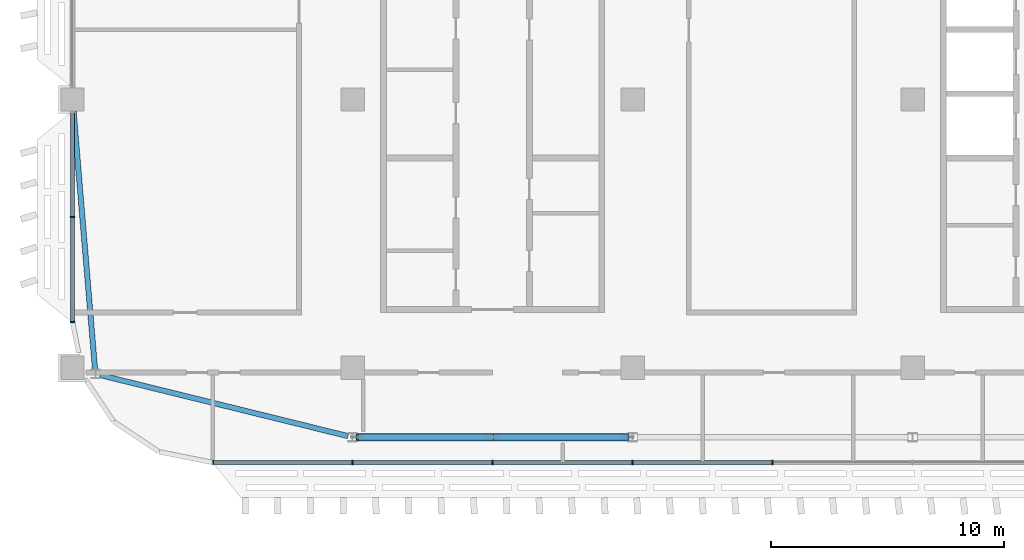
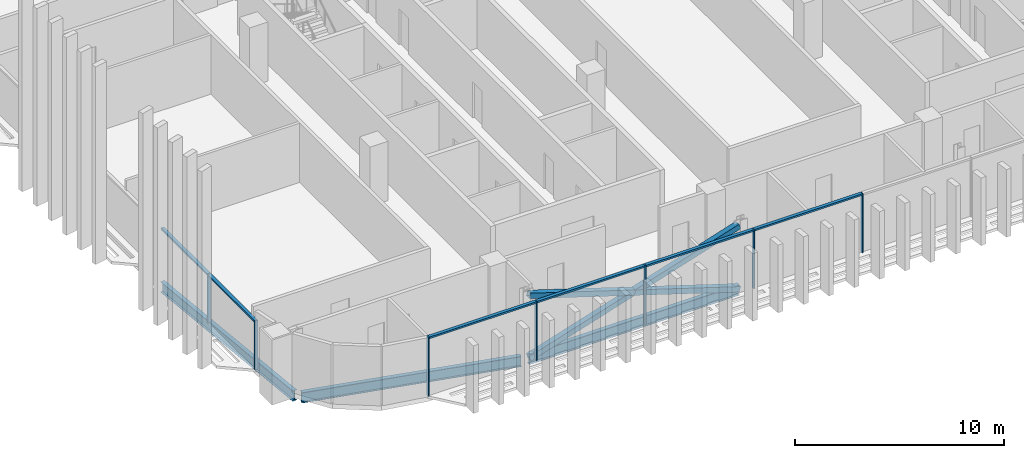
# One storey, part 5 of 32: 16 members, 3 beams, 2 elements without a shape of their own.
"""IFC4 building model written with IfcOpenShell, lengths in metres."""

from ifc_helpers import new_model, si_unit, direction, frame, origin, origin_2d, place, context, subcontext, project, spatial, rectangle, hollow_rectangle, i_section, extrude, material, material_profile, profile_set, type_object, element, aggregate, save


model = new_model("IFC4")

# Units and contexts
model_context = context("Model", 3, precision=1e-05, world=origin(), true_north=direction((0.0, 1.0)))
body_context = subcontext(model_context, "Body", "Model", "MODEL_VIEW")
ifc_project = project(units=[si_unit("LENGTHUNIT", "METRE"), si_unit("AREAUNIT", "SQUARE_METRE"), si_unit("VOLUMEUNIT", "CUBIC_METRE"), si_unit("PLANEANGLEUNIT", "RADIAN"), si_unit("MASSUNIT", "GRAM", prefix="KILO")], contexts=[model_context])

# Site, building, storey
site_placement = place(None, origin())
site = spatial("IfcSite", under=ifc_project, at=site_placement, CompositionType="ELEMENT")
building_placement = place(site_placement, origin())
building = spatial("IfcBuilding", under=site, at=building_placement, Name="Mahtab Terrace Research Tower", CompositionType="ELEMENT")
storey_placement = place(building_placement, frame((0.0, 0.0, 243.800048828125)))
storey = spatial("IfcBuildingStorey", under=building, at=storey_placement, Name="L59", CompositionType="ELEMENT", Elevation=243.800048828125)

# Members
ifc_material_1 = material(Name="Steel ASTM A500 Gr C", Category="steel")
ifc_material_profile_1 = material_profile(ifc_material_1, hollow_rectangle(XDim=0.3046875, YDim=0.3046875, WallThickness=0.015869140625, at=origin_2d()), Name="HSS12X12X5/8")
ifc_profile_set_1 = profile_set([ifc_material_profile_1], Name="Steel ASTM A500 Gr C")
member_type_1 = type_object("IfcMemberType", Name="HSS 12x12x5/8 brace XB121258", PredefinedType="BRACE", material=ifc_profile_set_1)
member_1_placement = place(storey_placement, frame((-29.800537109375, -14.472900390625, -0.58056640625), z_axis=(0.953338568311, 0.0, 0.301903252998), x_axis=(0.0, 1.0, 0.0)))
element("IfcMember", 1, at=member_1_placement, inside=storey, type_object=member_type_1, Name="Exoskeleton brace L59 13 a", PredefinedType="BRACE", context=body_context, shape_type="SweptSolid", body=[
    extrude(hollow_rectangle(XDim=0.3046875, YDim=0.3046875, WallThickness=0.015869140625, at=origin_2d()), origin(), (0.0, 0.0, 1.0), 12.1689453125),
])
for number, where, z_axis, x_axis, name in (
    (2, (-18.199462890625, -14.472900390625, -0.58056640625), (-0.953338568311, 0.0, 0.301903252998), (0.0, -1.0, 0.0), "Exoskeleton brace L59 13 b1"),
    (3, (-24.0, -14.472900390625, 1.25634765625), (-0.953338568311, 0.0, 0.301903252998), (0.0, -1.0, 0.0), "Exoskeleton brace L59 13 b2"),
):
    element("IfcMember", number, at=place(storey_placement, frame(where, z_axis=z_axis, x_axis=x_axis)), inside=storey, type_object=member_type_1, Name=name, PredefinedType="BRACE", context=body_context, shape_type="SweptSolid", body=[
        extrude(hollow_rectangle(XDim=0.3046875, YDim=0.3046875, WallThickness=0.015869140625, at=origin_2d()), origin(), (0.0, 0.0, 1.0), 6.08447265625),
    ])

# Curtain wall, members
ifc_material_2 = material(Name="Office ribbon curtain wall")
curtain_wall_type = type_object("IfcCurtainWallType", Name="Office ribbon curtain wall", PredefinedType="NOTDEFINED", material=ifc_material_2)
curtain_wall_1_placement = place(storey_placement, origin())
curtain_wall_1 = element("IfcCurtainWall", 4, at=curtain_wall_1_placement, inside=storey, type_object=curtain_wall_type, Name="EN.L59.8.10", PredefinedType="NOTDEFINED")
ifc_material_3 = material(Name="Natural anodised aluminium", Category="aluminium")
ifc_material_profile_2 = material_profile(ifc_material_3, rectangle(XDim=0.179931640625, YDim=0.06005859375, at=origin_2d()), Name="MULLION 60x180")
ifc_profile_set_2 = profile_set([ifc_material_profile_2], Name="Natural anodised aluminium")
member_type_2 = type_object("IfcMemberType", Name="Office ribbon curtain wall mullion", PredefinedType="MULLION", material=ifc_profile_set_2)
member_2_placement = place(storey_placement, frame((-42.0, -5.028076171875, 0.0), z_axis=(0.0, 0.0, 1.0), x_axis=(1.0, 0.0, 0.0)))
member_2 = element("IfcMember", 5, at=member_2_placement, type_object=member_type_2, Name="CWO-7 mullion 2", PredefinedType="MULLION", context=body_context, shape_type="SweptSolid", body=[
    extrude(rectangle(XDim=0.179931640625, YDim=0.06005859375, at=origin_2d()), origin(), (0.0, 0.0, 1.0), 2.852783203125),
])
member_3_placement = place(storey_placement, frame((-42.0, -9.52587890625, 0.0), z_axis=(0.0, 0.0, 1.0), x_axis=(1.0, 0.0, 0.0)))
member_3 = element("IfcMember", 6, at=member_3_placement, type_object=member_type_2, Name="CWO-7 mullion 3", PredefinedType="MULLION", context=body_context, shape_type="SweptSolid", body=[
    extrude(rectangle(XDim=0.179931640625, YDim=0.06005859375, at=origin_2d()), origin(), (0.0, 0.0, 1.0), 2.852783203125),
])

curtain_wall_2_placement = place(storey_placement, origin())
curtain_wall_2 = element("IfcCurtainWall", 7, at=curtain_wall_2_placement, inside=storey, type_object=curtain_wall_type, Name="EN.L59.13.15", PredefinedType="NOTDEFINED")
member_4_placement = place(storey_placement, frame((-35.969970703125, -15.555908203125, 0.0), z_axis=(0.0, 0.0, 1.0), x_axis=(0.0, 1.0, 0.0)))
member_4 = element("IfcMember", 8, at=member_4_placement, type_object=member_type_2, Name="CWO-7 mullion 1", PredefinedType="MULLION", context=body_context, shape_type="SweptSolid", body=[
    extrude(rectangle(XDim=0.179931640625, YDim=0.06005859375, at=origin_2d()), origin(), (0.0, 0.0, 1.0), 3.4599609375),
])
member_5_placement = place(storey_placement, frame((-30.0, -15.555908203125, 0.0), z_axis=(0.0, 0.0, 1.0), x_axis=(0.0, 1.0, 0.0)))
member_5 = element("IfcMember", 9, at=member_5_placement, type_object=member_type_2, Name="CWO-7 mullion 2", PredefinedType="MULLION", context=body_context, shape_type="SweptSolid", body=[
    extrude(rectangle(XDim=0.179931640625, YDim=0.06005859375, at=origin_2d()), origin(), (0.0, 0.0, 1.0), 3.4599609375),
])
member_6_placement = place(storey_placement, frame((-24.0, -15.555908203125, 0.0), z_axis=(0.0, 0.0, 1.0), x_axis=(0.0, 1.0, 0.0)))
member_6 = element("IfcMember", 10, at=member_6_placement, type_object=member_type_2, Name="CWO-7 mullion 3", PredefinedType="MULLION", context=body_context, shape_type="SweptSolid", body=[
    extrude(rectangle(XDim=0.179931640625, YDim=0.06005859375, at=origin_2d()), origin(), (0.0, 0.0, 1.0), 3.4599609375),
])
member_7_placement = place(storey_placement, frame((-18.0, -15.555908203125, 0.0), z_axis=(0.0, 0.0, 1.0), x_axis=(0.0, 1.0, 0.0)))
member_7 = element("IfcMember", 11, at=member_7_placement, type_object=member_type_2, Name="CWO-7 mullion 4", PredefinedType="MULLION", context=body_context, shape_type="SweptSolid", body=[
    extrude(rectangle(XDim=0.179931640625, YDim=0.06005859375, at=origin_2d()), origin(), (0.0, 0.0, 1.0), 3.4599609375),
])
member_8_placement = place(storey_placement, frame((-12.0, -15.555908203125, 0.0), z_axis=(0.0, 0.0, 1.0), x_axis=(0.0, 1.0, 0.0)))
member_8 = element("IfcMember", 12, at=member_8_placement, type_object=member_type_2, Name="CWO-7 mullion 5", PredefinedType="MULLION", context=body_context, shape_type="SweptSolid", body=[
    extrude(rectangle(XDim=0.179931640625, YDim=0.06005859375, at=origin_2d()), origin(), (0.0, 0.0, 1.0), 3.4599609375),
])

# Member
ifc_material_profile_3 = material_profile(ifc_material_3, rectangle(XDim=0.179931640625, YDim=0.10009765625, at=origin_2d()), Name="TRANSOM 100x180")
ifc_profile_set_3 = profile_set([ifc_material_profile_3], Name="Natural anodised aluminium")
member_type_3 = type_object("IfcMemberType", Name="Office ribbon curtain wall transom", PredefinedType="USERDEFINED", material=ifc_profile_set_3)
member_9_placement = place(storey_placement, frame((-42.0, -0.56005859375, 2.802734375), z_axis=(0.0, -1.0, 0.0), x_axis=(1.0, 0.0, 0.0)))
member_9 = element("IfcMember", 13, at=member_9_placement, type_object=member_type_3, Name="CWO-7 transom 1", ObjectType="TRANSOM", PredefinedType="USERDEFINED", context=body_context, shape_type="SweptSolid", body=[
    extrude(rectangle(XDim=0.179931640625, YDim=0.10009765625, at=origin_2d()), origin(), (0.0, 0.0, 1.0), 4.43798828125),
])

member_10_placement = place(storey_placement, frame((-42.0, -5.05810546875, 2.802734375), z_axis=(0.0, -1.0, 0.0), x_axis=(1.0, 0.0, 0.0)))
member_10 = element("IfcMember", 14, at=member_10_placement, type_object=member_type_3, Name="CWO-7 transom 2", ObjectType="TRANSOM", PredefinedType="USERDEFINED", context=body_context, shape_type="SweptSolid", body=[
    extrude(rectangle(XDim=0.179931640625, YDim=0.10009765625, at=origin_2d()), origin(), (0.0, 0.0, 1.0), 4.43798828125),
])

aggregate(curtain_wall_1, [member_2, member_3, member_9, member_10])

member_11_placement = place(storey_placement, frame((-35.93994140625, -15.555908203125, 3.409912109375), z_axis=(1.0, 0.0, 0.0), x_axis=(0.0, 1.0, 0.0)))
member_11 = element("IfcMember", 15, at=member_11_placement, type_object=member_type_3, Name="CWO-7 transom 1", ObjectType="TRANSOM", PredefinedType="USERDEFINED", context=body_context, shape_type="SweptSolid", body=[
    extrude(rectangle(XDim=0.179931640625, YDim=0.10009765625, at=origin_2d()), origin(), (0.0, 0.0, 1.0), 5.909912109375),
])

member_12_placement = place(storey_placement, frame((-29.969970703125, -15.555908203125, 3.409912109375), z_axis=(1.0, 0.0, 0.0), x_axis=(0.0, 1.0, 0.0)))
member_12 = element("IfcMember", 16, at=member_12_placement, type_object=member_type_3, Name="CWO-7 transom 2", ObjectType="TRANSOM", PredefinedType="USERDEFINED", context=body_context, shape_type="SweptSolid", body=[
    extrude(rectangle(XDim=0.179931640625, YDim=0.10009765625, at=origin_2d()), origin(), (0.0, 0.0, 1.0), 5.93994140625),
])

member_13_placement = place(storey_placement, frame((-23.969970703125, -15.555908203125, 3.409912109375), z_axis=(1.0, 0.0, 0.0), x_axis=(0.0, 1.0, 0.0)))
member_13 = element("IfcMember", 17, at=member_13_placement, type_object=member_type_3, Name="CWO-7 transom 3", ObjectType="TRANSOM", PredefinedType="USERDEFINED", context=body_context, shape_type="SweptSolid", body=[
    extrude(rectangle(XDim=0.179931640625, YDim=0.10009765625, at=origin_2d()), origin(), (0.0, 0.0, 1.0), 5.93994140625),
])

member_14_placement = place(storey_placement, frame((-17.969970703125, -15.555908203125, 3.409912109375), z_axis=(1.0, 0.0, 0.0), x_axis=(0.0, 1.0, 0.0)))
member_14 = element("IfcMember", 18, at=member_14_placement, type_object=member_type_3, Name="CWO-7 transom 4", ObjectType="TRANSOM", PredefinedType="USERDEFINED", context=body_context, shape_type="SweptSolid", body=[
    extrude(rectangle(XDim=0.179931640625, YDim=0.10009765625, at=origin_2d()), origin(), (0.0, 0.0, 1.0), 5.93994140625),
])

aggregate(curtain_wall_2, [member_4, member_5, member_6, member_7, member_8, member_11, member_12, member_13, member_14])

# Beams
ifc_material_4 = material(Name="Steel ASTM A992 Gr 50", Category="steel")
ifc_material_profile_4 = material_profile(ifc_material_4, i_section(OverallWidth=0.228271484375, OverallDepth=0.607177734375, WebThickness=0.01123046875, FlangeThickness=0.017333984375, at=origin_2d()), Name="W24X76")
ifc_profile_set_4 = profile_set([ifc_material_profile_4], Name="Steel ASTM A992 Gr 50")
beam_type = type_object("IfcBeamType", Name="W24x76 beam BS2476", PredefinedType="BEAM", material=ifc_profile_set_4)
beam_1_placement = place(storey_placement, frame((-41.958251953125, -0.5, -0.6435546875), z_axis=(0.082961772462, -0.996552730321, 0.0), x_axis=(0.996552730321, 0.082961772462, 0.0)))
element("IfcBeam", 19, at=beam_1_placement, inside=storey, type_object=beam_type, Name="Spandrel beam L59 11", PredefinedType="BEAM", context=body_context, shape_type="SweptSolid", body=[
    extrude(i_section(OverallWidth=0.228271484375, OverallDepth=0.607177734375, WebThickness=0.01123046875, FlangeThickness=0.017333984375, at=origin_2d()), origin(), (0.0, 0.0, 1.0), 11.103271484375),
])
beam_2_placement = place(storey_placement, frame((-40.821533203125, -11.80712890625, -0.6435546875), z_axis=(0.970971673225, -0.239194502014, 0.0), x_axis=(0.239194502014, 0.970971673225, 0.0)))
element("IfcBeam", 20, at=beam_2_placement, inside=storey, type_object=beam_type, Name="Spandrel beam L59 12", PredefinedType="BEAM", context=body_context, shape_type="SweptSolid", body=[
    extrude(i_section(OverallWidth=0.228271484375, OverallDepth=0.607177734375, WebThickness=0.01123046875, FlangeThickness=0.017333984375, at=origin_2d()), origin(), (0.0, 0.0, 1.0), 10.939697265625),
])
beam_3_placement = place(storey_placement, frame((-29.800537109375, -14.472900390625, -0.6435546875), z_axis=(1.0, 0.0, 0.0), x_axis=(0.0, 1.0, 0.0)))
element("IfcBeam", 21, at=beam_3_placement, inside=storey, type_object=beam_type, Name="Spandrel beam L59 13", PredefinedType="BEAM", context=body_context, shape_type="SweptSolid", body=[
    extrude(i_section(OverallWidth=0.228271484375, OverallDepth=0.607177734375, WebThickness=0.01123046875, FlangeThickness=0.017333984375, at=origin_2d()), origin(), (0.0, 0.0, 1.0), 11.60107421875),
])

save(model, "model.ifc")
